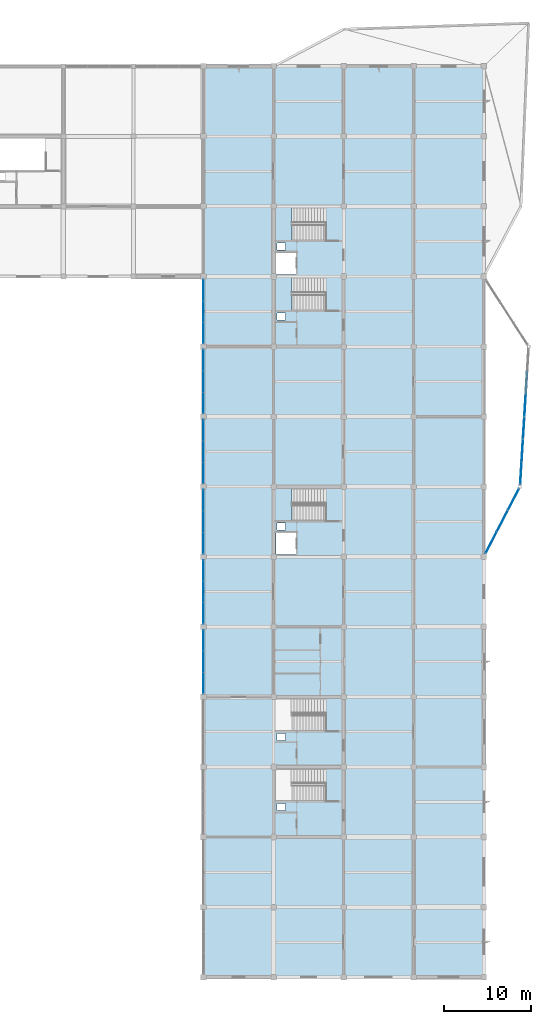
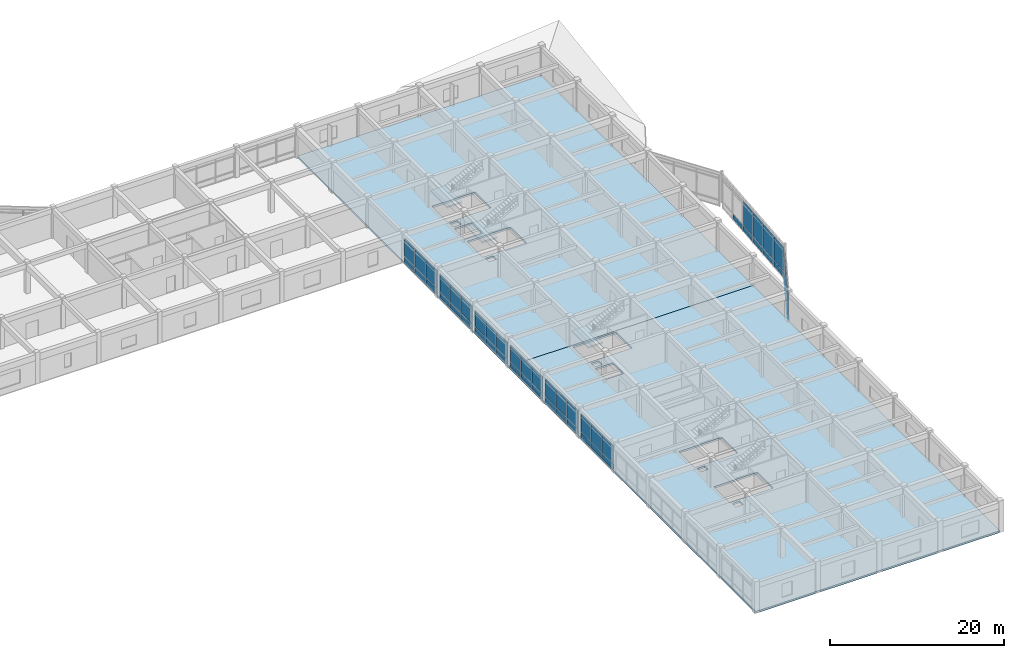
# One storey, part 23 of 40: 51 plates, 5 slabs, 12 elements without a shape of their own.
"""IFC4 building model written with IfcOpenShell, lengths in metres."""

from ifc_helpers import new_model, si_unit, direction, frame, origin, origin_2d, place, context, subcontext, project, spatial, polyline, rectangle, outline, extrude, material, layer, layer_set, type_object, element, aggregate, save


model = new_model("IFC4")

# Units and contexts
model_context = context("Model", 3, precision=1e-05, world=origin(), true_north=direction((0.0, 1.0)))
body_context = subcontext(model_context, "Body", "Model", "MODEL_VIEW")
ifc_project = project(units=[si_unit("LENGTHUNIT", "METRE"), si_unit("AREAUNIT", "SQUARE_METRE"), si_unit("VOLUMEUNIT", "CUBIC_METRE"), si_unit("PLANEANGLEUNIT", "RADIAN"), si_unit("MASSUNIT", "GRAM", prefix="KILO")], contexts=[model_context])

# Site, building, storey
site_placement = place(None, origin())
site = spatial("IfcSite", under=ifc_project, at=site_placement, CompositionType="ELEMENT")
building_placement = place(site_placement, origin())
building = spatial("IfcBuilding", under=site, at=building_placement, Name="Vaudrelin Polytechnic", CompositionType="ELEMENT")
storey_placement = place(building_placement, frame((0.0, 0.0, 22.949951171875)))
storey = spatial("IfcBuildingStorey", under=building, at=storey_placement, Name="L05", CompositionType="ELEMENT", Elevation=22.949951171875)

# Curtain wall, plates
ifc_material_1 = material(Name="Thermally broken anodised aluminium AA 6063-T6 and low-e triple glazing", Category="aluminium")
ifc_layer_1 = layer(ifc_material_1, 0.199951171875)
ifc_layer_set_1 = layer_set([ifc_layer_1], Name="Thermally broken anodised aluminium AA 6063-T6 and low-e triple glazing")
curtain_wall_type = type_object("IfcCurtainWallType", Name="CW-CW-LAB", PredefinedType="USERDEFINED", material=ifc_layer_set_1)
curtain_wall_1_placement = place(storey_placement, origin())
curtain_wall_1 = element("IfcCurtainWall", 1, at=curtain_wall_1_placement, inside=storey, type_object=curtain_wall_type, Name="Curtain wall L05 W_V4_04", ObjectType="CURTAIN WALL", PredefinedType="USERDEFINED")
ifc_material_2 = material(Name="Insulated ceramic-frit spandrel glass panel", Category="glass")
ifc_layer_2 = layer(ifc_material_2, 0.052001953125)
ifc_layer_set_2 = layer_set([ifc_layer_2], Name="Insulated ceramic-frit spandrel glass panel")
plate_type_1 = type_object("IfcPlateType", Name="PLT-GLZ-SPAND", PredefinedType="CURTAIN_PANEL", material=ifc_layer_set_2)
plate_1_placement = place(storey_placement, frame((137.699951171875, 50.165283203125, 0.08984375), z_axis=(0.0, 0.0, 1.0), x_axis=(0.0, 1.0, 0.0)))
plate_1 = element("IfcPlate", 2, at=plate_1_placement, type_object=plate_type_1, Name="W_V4_04 spandrel panel 1", PredefinedType="CURTAIN_PANEL", context=body_context, shape_type="SweptSolid", body=[
    extrude(rectangle(XDim=2.384765625, YDim=0.052001953125, at=origin_2d()), origin(), (0.0, 0.0, 1.0), 0.699951171875),
])
plate_2_placement = place(storey_placement, frame((137.699951171875, 52.64990234375, 0.08984375), z_axis=(0.0, 0.0, 1.0), x_axis=(0.0, 1.0, 0.0)))
plate_2 = element("IfcPlate", 3, at=plate_2_placement, type_object=plate_type_1, Name="W_V4_04 spandrel panel 2", PredefinedType="CURTAIN_PANEL", context=body_context, shape_type="SweptSolid", body=[
    extrude(rectangle(XDim=2.384765625, YDim=0.052001953125, at=origin_2d()), origin(), (0.0, 0.0, 1.0), 0.699951171875),
])
plate_3_placement = place(storey_placement, frame((137.699951171875, 55.134765625, 0.08984375), z_axis=(0.0, 0.0, 1.0), x_axis=(0.0, 1.0, 0.0)))
plate_3 = element("IfcPlate", 4, at=plate_3_placement, type_object=plate_type_1, Name="W_V4_04 spandrel panel 3", PredefinedType="CURTAIN_PANEL", context=body_context, shape_type="SweptSolid", body=[
    extrude(rectangle(XDim=2.384765625, YDim=0.052001953125, at=origin_2d()), origin(), (0.0, 0.0, 1.0), 0.699951171875),
])

curtain_wall_2_placement = place(storey_placement, origin())
curtain_wall_2 = element("IfcCurtainWall", 5, at=curtain_wall_2_placement, inside=storey, type_object=curtain_wall_type, Name="Curtain wall L05 W_V4_05", ObjectType="CURTAIN WALL", PredefinedType="USERDEFINED")
plate_4_placement = place(storey_placement, frame((137.699951171875, 58.265380859375, 0.08984375), z_axis=(0.0, 0.0, 1.0), x_axis=(0.0, 1.0, 0.0)))
plate_4 = element("IfcPlate", 6, at=plate_4_placement, type_object=plate_type_1, Name="W_V4_05 spandrel panel 1", PredefinedType="CURTAIN_PANEL", context=body_context, shape_type="SweptSolid", body=[
    extrude(rectangle(XDim=2.384765625, YDim=0.052001953125, at=origin_2d()), origin(), (0.0, 0.0, 1.0), 0.699951171875),
])
plate_5_placement = place(storey_placement, frame((137.699951171875, 60.75, 0.08984375), z_axis=(0.0, 0.0, 1.0), x_axis=(0.0, 1.0, 0.0)))
plate_5 = element("IfcPlate", 7, at=plate_5_placement, type_object=plate_type_1, Name="W_V4_05 spandrel panel 2", PredefinedType="CURTAIN_PANEL", context=body_context, shape_type="SweptSolid", body=[
    extrude(rectangle(XDim=2.384765625, YDim=0.052001953125, at=origin_2d()), origin(), (0.0, 0.0, 1.0), 0.699951171875),
])
plate_6_placement = place(storey_placement, frame((137.699951171875, 63.234619140625, 0.08984375), z_axis=(0.0, 0.0, 1.0), x_axis=(0.0, 1.0, 0.0)))
plate_6 = element("IfcPlate", 8, at=plate_6_placement, type_object=plate_type_1, Name="W_V4_05 spandrel panel 3", PredefinedType="CURTAIN_PANEL", context=body_context, shape_type="SweptSolid", body=[
    extrude(rectangle(XDim=2.384765625, YDim=0.052001953125, at=origin_2d()), origin(), (0.0, 0.0, 1.0), 0.699951171875),
])

curtain_wall_3_placement = place(storey_placement, origin())
curtain_wall_3 = element("IfcCurtainWall", 9, at=curtain_wall_3_placement, inside=storey, type_object=curtain_wall_type, Name="Curtain wall L05 W_V4_06", ObjectType="CURTAIN WALL", PredefinedType="USERDEFINED")
plate_7_placement = place(storey_placement, frame((137.699951171875, 66.365234375, 0.08984375), z_axis=(0.0, 0.0, 1.0), x_axis=(0.0, 1.0, 0.0)))
plate_7 = element("IfcPlate", 10, at=plate_7_placement, type_object=plate_type_1, Name="W_V4_06 spandrel panel 1", PredefinedType="CURTAIN_PANEL", context=body_context, shape_type="SweptSolid", body=[
    extrude(rectangle(XDim=2.384765625, YDim=0.052001953125, at=origin_2d()), origin(), (0.0, 0.0, 1.0), 0.699951171875),
])
plate_8_placement = place(storey_placement, frame((137.699951171875, 68.85009765625, 0.08984375), z_axis=(0.0, 0.0, 1.0), x_axis=(0.0, 1.0, 0.0)))
plate_8 = element("IfcPlate", 11, at=plate_8_placement, type_object=plate_type_1, Name="W_V4_06 spandrel panel 2", PredefinedType="CURTAIN_PANEL", context=body_context, shape_type="SweptSolid", body=[
    extrude(rectangle(XDim=2.384765625, YDim=0.052001953125, at=origin_2d()), origin(), (0.0, 0.0, 1.0), 0.699951171875),
])
plate_9_placement = place(storey_placement, frame((137.699951171875, 71.334716796875, 0.08984375), z_axis=(0.0, 0.0, 1.0), x_axis=(0.0, 1.0, 0.0)))
plate_9 = element("IfcPlate", 12, at=plate_9_placement, type_object=plate_type_1, Name="W_V4_06 spandrel panel 3", PredefinedType="CURTAIN_PANEL", context=body_context, shape_type="SweptSolid", body=[
    extrude(rectangle(XDim=2.384765625, YDim=0.052001953125, at=origin_2d()), origin(), (0.0, 0.0, 1.0), 0.699951171875),
])

curtain_wall_4_placement = place(storey_placement, origin())
curtain_wall_4 = element("IfcCurtainWall", 13, at=curtain_wall_4_placement, inside=storey, type_object=curtain_wall_type, Name="Curtain wall L05 W_V4_07", ObjectType="CURTAIN WALL", PredefinedType="USERDEFINED")
plate_10_placement = place(storey_placement, frame((137.699951171875, 74.46533203125, 0.08984375), z_axis=(0.0, 0.0, 1.0), x_axis=(0.0, 1.0, 0.0)))
plate_10 = element("IfcPlate", 14, at=plate_10_placement, type_object=plate_type_1, Name="W_V4_07 spandrel panel 1", PredefinedType="CURTAIN_PANEL", context=body_context, shape_type="SweptSolid", body=[
    extrude(rectangle(XDim=2.384765625, YDim=0.052001953125, at=origin_2d()), origin(), (0.0, 0.0, 1.0), 0.699951171875),
])
plate_11_placement = place(storey_placement, frame((137.699951171875, 76.949951171875, 0.08984375), z_axis=(0.0, 0.0, 1.0), x_axis=(0.0, 1.0, 0.0)))
plate_11 = element("IfcPlate", 15, at=plate_11_placement, type_object=plate_type_1, Name="W_V4_07 spandrel panel 2", PredefinedType="CURTAIN_PANEL", context=body_context, shape_type="SweptSolid", body=[
    extrude(rectangle(XDim=2.384765625, YDim=0.052001953125, at=origin_2d()), origin(), (0.0, 0.0, 1.0), 0.699951171875),
])
plate_12_placement = place(storey_placement, frame((137.699951171875, 79.434814453125, 0.08984375), z_axis=(0.0, 0.0, 1.0), x_axis=(0.0, 1.0, 0.0)))
plate_12 = element("IfcPlate", 16, at=plate_12_placement, type_object=plate_type_1, Name="W_V4_07 spandrel panel 3", PredefinedType="CURTAIN_PANEL", context=body_context, shape_type="SweptSolid", body=[
    extrude(rectangle(XDim=2.384765625, YDim=0.052001953125, at=origin_2d()), origin(), (0.0, 0.0, 1.0), 0.699951171875),
])

curtain_wall_5_placement = place(storey_placement, origin())
curtain_wall_5 = element("IfcCurtainWall", 17, at=curtain_wall_5_placement, inside=storey, type_object=curtain_wall_type, Name="Curtain wall L05 W_V4_08", ObjectType="CURTAIN WALL", PredefinedType="USERDEFINED")
plate_13_placement = place(storey_placement, frame((137.699951171875, 82.565185546875, 0.08984375), z_axis=(0.0, 0.0, 1.0), x_axis=(0.0, 1.0, 0.0)))
plate_13 = element("IfcPlate", 18, at=plate_13_placement, type_object=plate_type_1, Name="W_V4_08 spandrel panel 1", PredefinedType="CURTAIN_PANEL", context=body_context, shape_type="SweptSolid", body=[
    extrude(rectangle(XDim=2.384765625, YDim=0.052001953125, at=origin_2d()), origin(), (0.0, 0.0, 1.0), 0.699951171875),
])
plate_14_placement = place(storey_placement, frame((137.699951171875, 85.050048828125, 0.08984375), z_axis=(0.0, 0.0, 1.0), x_axis=(0.0, 1.0, 0.0)))
plate_14 = element("IfcPlate", 19, at=plate_14_placement, type_object=plate_type_1, Name="W_V4_08 spandrel panel 2", PredefinedType="CURTAIN_PANEL", context=body_context, shape_type="SweptSolid", body=[
    extrude(rectangle(XDim=2.384765625, YDim=0.052001953125, at=origin_2d()), origin(), (0.0, 0.0, 1.0), 0.699951171875),
])
plate_15_placement = place(storey_placement, frame((137.699951171875, 87.53466796875, 0.08984375), z_axis=(0.0, 0.0, 1.0), x_axis=(0.0, 1.0, 0.0)))
plate_15 = element("IfcPlate", 20, at=plate_15_placement, type_object=plate_type_1, Name="W_V4_08 spandrel panel 3", PredefinedType="CURTAIN_PANEL", context=body_context, shape_type="SweptSolid", body=[
    extrude(rectangle(XDim=2.384765625, YDim=0.052001953125, at=origin_2d()), origin(), (0.0, 0.0, 1.0), 0.699951171875),
])

curtain_wall_6_placement = place(storey_placement, origin())
curtain_wall_6 = element("IfcCurtainWall", 21, at=curtain_wall_6_placement, inside=storey, type_object=curtain_wall_type, Name="Curtain wall L05 W_V4_09", ObjectType="CURTAIN WALL", PredefinedType="USERDEFINED")
plate_16_placement = place(storey_placement, frame((137.699951171875, 90.665283203125, 0.08984375), z_axis=(0.0, 0.0, 1.0), x_axis=(0.0, 1.0, 0.0)))
plate_16 = element("IfcPlate", 22, at=plate_16_placement, type_object=plate_type_1, Name="W_V4_09 spandrel panel 1", PredefinedType="CURTAIN_PANEL", context=body_context, shape_type="SweptSolid", body=[
    extrude(rectangle(XDim=2.384765625, YDim=0.052001953125, at=origin_2d()), origin(), (0.0, 0.0, 1.0), 0.699951171875),
])
plate_17_placement = place(storey_placement, frame((137.699951171875, 93.14990234375, 0.08984375), z_axis=(0.0, 0.0, 1.0), x_axis=(0.0, 1.0, 0.0)))
plate_17 = element("IfcPlate", 23, at=plate_17_placement, type_object=plate_type_1, Name="W_V4_09 spandrel panel 2", PredefinedType="CURTAIN_PANEL", context=body_context, shape_type="SweptSolid", body=[
    extrude(rectangle(XDim=2.384765625, YDim=0.052001953125, at=origin_2d()), origin(), (0.0, 0.0, 1.0), 0.699951171875),
])
plate_18_placement = place(storey_placement, frame((137.699951171875, 95.634765625, 0.08984375), z_axis=(0.0, 0.0, 1.0), x_axis=(0.0, 1.0, 0.0)))
plate_18 = element("IfcPlate", 24, at=plate_18_placement, type_object=plate_type_1, Name="W_V4_09 spandrel panel 3", PredefinedType="CURTAIN_PANEL", context=body_context, shape_type="SweptSolid", body=[
    extrude(rectangle(XDim=2.384765625, YDim=0.052001953125, at=origin_2d()), origin(), (0.0, 0.0, 1.0), 0.699951171875),
])

curtain_wall_7_placement = place(storey_placement, origin())
curtain_wall_7 = element("IfcCurtainWall", 25, at=curtain_wall_7_placement, inside=storey, type_object=curtain_wall_type, Name="Curtain wall L05 E_OR2_1_0", ObjectType="CURTAIN WALL", PredefinedType="USERDEFINED")
plate_19_placement = place(storey_placement, frame((170.953369140625, 66.44580078125, -0.5400390625), z_axis=(0.0, 0.0, 1.0), x_axis=(0.460325488129, 0.88775021542, 0.0)))
plate_19 = element("IfcPlate", 26, at=plate_19_placement, type_object=plate_type_1, Name="E_OR2_1_0 spandrel panel 1", PredefinedType="CURTAIN_PANEL", context=body_context, shape_type="SweptSolid", body=[
    extrude(rectangle(XDim=2.705322265625, YDim=0.052001953125, at=origin_2d()), origin(), (0.0, 0.0, 1.0), 0.699951171875),
])
plate_20_placement = place(storey_placement, frame((172.24462890625, 68.936279296875, -0.5400390625), z_axis=(0.0, 0.0, 1.0), x_axis=(0.460325488129, 0.88775021542, 0.0)))
plate_20 = element("IfcPlate", 27, at=plate_20_placement, type_object=plate_type_1, Name="E_OR2_1_0 spandrel panel 2", PredefinedType="CURTAIN_PANEL", context=body_context, shape_type="SweptSolid", body=[
    extrude(rectangle(XDim=2.705322265625, YDim=0.052001953125, at=origin_2d()), origin(), (0.0, 0.0, 1.0), 0.699951171875),
])
plate_21_placement = place(storey_placement, frame((173.5361328125, 71.4267578125, -0.5400390625), z_axis=(0.0, 0.0, 1.0), x_axis=(0.460325488129, 0.88775021542, 0.0)))
plate_21 = element("IfcPlate", 28, at=plate_21_placement, type_object=plate_type_1, Name="E_OR2_1_0 spandrel panel 3", PredefinedType="CURTAIN_PANEL", context=body_context, shape_type="SweptSolid", body=[
    extrude(rectangle(XDim=2.705322265625, YDim=0.052001953125, at=origin_2d()), origin(), (0.0, 0.0, 1.0), 0.699951171875),
])

curtain_wall_8_placement = place(storey_placement, origin())
curtain_wall_8 = element("IfcCurtainWall", 29, at=curtain_wall_8_placement, inside=storey, type_object=curtain_wall_type, Name="Curtain wall L05 E_OR2_2_0", ObjectType="CURTAIN WALL", PredefinedType="USERDEFINED")
plate_22_placement = place(storey_placement, frame((174.3955078125, 74.44775390625, -0.5400390625), z_axis=(0.0, 0.0, 1.0), x_axis=(0.061604568165, 0.998100634797, 0.0)))
plate_22 = element("IfcPlate", 30, at=plate_22_placement, type_object=plate_type_1, Name="E_OR2_2_0 spandrel panel 1", PredefinedType="CURTAIN_PANEL", context=body_context, shape_type="SweptSolid", body=[
    extrude(rectangle(XDim=2.52587890625, YDim=0.052001953125, at=origin_2d()), origin(), (0.0, 0.0, 1.0), 0.699951171875),
])
plate_23_placement = place(storey_placement, frame((174.557373046875, 77.068603515625, -0.5400390625), z_axis=(0.0, 0.0, 1.0), x_axis=(0.061604568165, 0.998100634797, 0.0)))
plate_23 = element("IfcPlate", 31, at=plate_23_placement, type_object=plate_type_1, Name="E_OR2_2_0 spandrel panel 2", PredefinedType="CURTAIN_PANEL", context=body_context, shape_type="SweptSolid", body=[
    extrude(rectangle(XDim=2.52587890625, YDim=0.052001953125, at=origin_2d()), origin(), (0.0, 0.0, 1.0), 0.699951171875),
])
plate_24_placement = place(storey_placement, frame((174.718994140625, 79.689453125, -0.5400390625), z_axis=(0.0, 0.0, 1.0), x_axis=(0.061604568165, 0.998100634797, 0.0)))
plate_24 = element("IfcPlate", 32, at=plate_24_placement, type_object=plate_type_1, Name="E_OR2_2_0 spandrel panel 3", PredefinedType="CURTAIN_PANEL", context=body_context, shape_type="SweptSolid", body=[
    extrude(rectangle(XDim=2.52587890625, YDim=0.052001953125, at=origin_2d()), origin(), (0.0, 0.0, 1.0), 0.699951171875),
])

curtain_wall_9_placement = place(storey_placement, origin())
curtain_wall_9 = element("IfcCurtainWall", 33, at=curtain_wall_9_placement, inside=storey, type_object=curtain_wall_type, Name="Curtain wall L05 E_OR2_2_1", ObjectType="CURTAIN WALL", PredefinedType="USERDEFINED")
plate_25_placement = place(storey_placement, frame((174.880859375, 82.310546875, -0.5400390625), z_axis=(0.0, 0.0, 1.0), x_axis=(0.061604568165, 0.998100634797, 0.0)))
plate_25 = element("IfcPlate", 34, at=plate_25_placement, type_object=plate_type_1, Name="E_OR2_2_1 spandrel panel 1", PredefinedType="CURTAIN_PANEL", context=body_context, shape_type="SweptSolid", body=[
    extrude(rectangle(XDim=2.52587890625, YDim=0.052001953125, at=origin_2d()), origin(), (0.0, 0.0, 1.0), 0.699951171875),
])
plate_26_placement = place(storey_placement, frame((175.042724609375, 84.931396484375, -0.5400390625), z_axis=(0.0, 0.0, 1.0), x_axis=(0.061604568165, 0.998100634797, 0.0)))
plate_26 = element("IfcPlate", 35, at=plate_26_placement, type_object=plate_type_1, Name="E_OR2_2_1 spandrel panel 2", PredefinedType="CURTAIN_PANEL", context=body_context, shape_type="SweptSolid", body=[
    extrude(rectangle(XDim=2.52587890625, YDim=0.052001953125, at=origin_2d()), origin(), (0.0, 0.0, 1.0), 0.699951171875),
])

# Plate
ifc_material_3 = material(Name="Triple low-e argon insulated glazing unit", Category="glass")
ifc_layer_3 = layer(ifc_material_3, 0.0439453125)
ifc_layer_set_3 = layer_set([ifc_layer_3], Name="Triple low-e argon insulated glazing unit")
plate_type_2 = type_object("IfcPlateType", Name="PLT-GLZ-TRIPLE", PredefinedType="CURTAIN_PANEL", material=ifc_layer_set_3)
plate_27_placement = place(storey_placement, frame((137.699951171875, 50.165283203125, 0.89990234375), z_axis=(0.0, 0.0, 1.0), x_axis=(0.0, 1.0, 0.0)))
plate_27 = element("IfcPlate", 36, at=plate_27_placement, type_object=plate_type_2, Name="W_V4_04 vision panel 1", PredefinedType="CURTAIN_PANEL", context=body_context, shape_type="SweptSolid", body=[
    extrude(rectangle(XDim=2.384765625, YDim=0.0439453125, at=origin_2d()), origin(), (0.0, 0.0, 1.0), 2.511962890625),
])

plate_28_placement = place(storey_placement, frame((137.699951171875, 52.64990234375, 0.89990234375), z_axis=(0.0, 0.0, 1.0), x_axis=(0.0, 1.0, 0.0)))
plate_28 = element("IfcPlate", 37, at=plate_28_placement, type_object=plate_type_2, Name="W_V4_04 vision panel 2", PredefinedType="CURTAIN_PANEL", context=body_context, shape_type="SweptSolid", body=[
    extrude(rectangle(XDim=2.384765625, YDim=0.0439453125, at=origin_2d()), origin(), (0.0, 0.0, 1.0), 2.511962890625),
])

plate_29_placement = place(storey_placement, frame((137.699951171875, 55.134765625, 0.89990234375), z_axis=(0.0, 0.0, 1.0), x_axis=(0.0, 1.0, 0.0)))
plate_29 = element("IfcPlate", 38, at=plate_29_placement, type_object=plate_type_2, Name="W_V4_04 vision panel 3", PredefinedType="CURTAIN_PANEL", context=body_context, shape_type="SweptSolid", body=[
    extrude(rectangle(XDim=2.384765625, YDim=0.0439453125, at=origin_2d()), origin(), (0.0, 0.0, 1.0), 2.511962890625),
])

aggregate(curtain_wall_1, [plate_1, plate_27, plate_2, plate_28, plate_3, plate_29])

plate_30_placement = place(storey_placement, frame((137.699951171875, 58.265380859375, 0.89990234375), z_axis=(0.0, 0.0, 1.0), x_axis=(0.0, 1.0, 0.0)))
plate_30 = element("IfcPlate", 39, at=plate_30_placement, type_object=plate_type_2, Name="W_V4_05 vision panel 1", PredefinedType="CURTAIN_PANEL", context=body_context, shape_type="SweptSolid", body=[
    extrude(rectangle(XDim=2.384765625, YDim=0.0439453125, at=origin_2d()), origin(), (0.0, 0.0, 1.0), 2.511962890625),
])

plate_31_placement = place(storey_placement, frame((137.699951171875, 60.75, 0.89990234375), z_axis=(0.0, 0.0, 1.0), x_axis=(0.0, 1.0, 0.0)))
plate_31 = element("IfcPlate", 40, at=plate_31_placement, type_object=plate_type_2, Name="W_V4_05 vision panel 2", PredefinedType="CURTAIN_PANEL", context=body_context, shape_type="SweptSolid", body=[
    extrude(rectangle(XDim=2.384765625, YDim=0.0439453125, at=origin_2d()), origin(), (0.0, 0.0, 1.0), 2.511962890625),
])

plate_32_placement = place(storey_placement, frame((137.699951171875, 63.234619140625, 0.89990234375), z_axis=(0.0, 0.0, 1.0), x_axis=(0.0, 1.0, 0.0)))
plate_32 = element("IfcPlate", 41, at=plate_32_placement, type_object=plate_type_2, Name="W_V4_05 vision panel 3", PredefinedType="CURTAIN_PANEL", context=body_context, shape_type="SweptSolid", body=[
    extrude(rectangle(XDim=2.384765625, YDim=0.0439453125, at=origin_2d()), origin(), (0.0, 0.0, 1.0), 2.511962890625),
])

aggregate(curtain_wall_2, [plate_4, plate_30, plate_5, plate_31, plate_6, plate_32])

plate_33_placement = place(storey_placement, frame((137.699951171875, 66.365234375, 0.900146484375), z_axis=(0.0, 0.0, 1.0), x_axis=(0.0, 1.0, 0.0)))
plate_33 = element("IfcPlate", 42, at=plate_33_placement, type_object=plate_type_2, Name="W_V4_06 vision panel 1", PredefinedType="CURTAIN_PANEL", context=body_context, shape_type="SweptSolid", body=[
    extrude(rectangle(XDim=2.384765625, YDim=0.0439453125, at=origin_2d()), origin(), (0.0, 0.0, 1.0), 2.31201171875),
])

plate_34_placement = place(storey_placement, frame((137.699951171875, 68.85009765625, 0.900146484375), z_axis=(0.0, 0.0, 1.0), x_axis=(0.0, 1.0, 0.0)))
plate_34 = element("IfcPlate", 43, at=plate_34_placement, type_object=plate_type_2, Name="W_V4_06 vision panel 2", PredefinedType="CURTAIN_PANEL", context=body_context, shape_type="SweptSolid", body=[
    extrude(rectangle(XDim=2.384765625, YDim=0.0439453125, at=origin_2d()), origin(), (0.0, 0.0, 1.0), 2.31201171875),
])

plate_35_placement = place(storey_placement, frame((137.699951171875, 71.334716796875, 0.900146484375), z_axis=(0.0, 0.0, 1.0), x_axis=(0.0, 1.0, 0.0)))
plate_35 = element("IfcPlate", 44, at=plate_35_placement, type_object=plate_type_2, Name="W_V4_06 vision panel 3", PredefinedType="CURTAIN_PANEL", context=body_context, shape_type="SweptSolid", body=[
    extrude(rectangle(XDim=2.384765625, YDim=0.0439453125, at=origin_2d()), origin(), (0.0, 0.0, 1.0), 2.31201171875),
])

aggregate(curtain_wall_3, [plate_7, plate_33, plate_8, plate_34, plate_9, plate_35])

plate_36_placement = place(storey_placement, frame((137.699951171875, 74.46533203125, 0.900146484375), z_axis=(0.0, 0.0, 1.0), x_axis=(0.0, 1.0, 0.0)))
plate_36 = element("IfcPlate", 45, at=plate_36_placement, type_object=plate_type_2, Name="W_V4_07 vision panel 1", PredefinedType="CURTAIN_PANEL", context=body_context, shape_type="SweptSolid", body=[
    extrude(rectangle(XDim=2.384765625, YDim=0.0439453125, at=origin_2d()), origin(), (0.0, 0.0, 1.0), 2.2119140625),
])

plate_37_placement = place(storey_placement, frame((137.699951171875, 76.949951171875, 0.900146484375), z_axis=(0.0, 0.0, 1.0), x_axis=(0.0, 1.0, 0.0)))
plate_37 = element("IfcPlate", 46, at=plate_37_placement, type_object=plate_type_2, Name="W_V4_07 vision panel 2", PredefinedType="CURTAIN_PANEL", context=body_context, shape_type="SweptSolid", body=[
    extrude(rectangle(XDim=2.384765625, YDim=0.0439453125, at=origin_2d()), origin(), (0.0, 0.0, 1.0), 2.2119140625),
])

plate_38_placement = place(storey_placement, frame((137.699951171875, 79.434814453125, 0.900146484375), z_axis=(0.0, 0.0, 1.0), x_axis=(0.0, 1.0, 0.0)))
plate_38 = element("IfcPlate", 47, at=plate_38_placement, type_object=plate_type_2, Name="W_V4_07 vision panel 3", PredefinedType="CURTAIN_PANEL", context=body_context, shape_type="SweptSolid", body=[
    extrude(rectangle(XDim=2.384765625, YDim=0.0439453125, at=origin_2d()), origin(), (0.0, 0.0, 1.0), 2.2119140625),
])

aggregate(curtain_wall_4, [plate_10, plate_36, plate_11, plate_37, plate_12, plate_38])

plate_39_placement = place(storey_placement, frame((137.699951171875, 82.565185546875, 0.89990234375), z_axis=(0.0, 0.0, 1.0), x_axis=(0.0, 1.0, 0.0)))
plate_39 = element("IfcPlate", 48, at=plate_39_placement, type_object=plate_type_2, Name="W_V4_08 vision panel 1", PredefinedType="CURTAIN_PANEL", context=body_context, shape_type="SweptSolid", body=[
    extrude(rectangle(XDim=2.384765625, YDim=0.0439453125, at=origin_2d()), origin(), (0.0, 0.0, 1.0), 2.412109375),
])

plate_40_placement = place(storey_placement, frame((137.699951171875, 85.050048828125, 0.89990234375), z_axis=(0.0, 0.0, 1.0), x_axis=(0.0, 1.0, 0.0)))
plate_40 = element("IfcPlate", 49, at=plate_40_placement, type_object=plate_type_2, Name="W_V4_08 vision panel 2", PredefinedType="CURTAIN_PANEL", context=body_context, shape_type="SweptSolid", body=[
    extrude(rectangle(XDim=2.384765625, YDim=0.0439453125, at=origin_2d()), origin(), (0.0, 0.0, 1.0), 2.412109375),
])

plate_41_placement = place(storey_placement, frame((137.699951171875, 87.53466796875, 0.89990234375), z_axis=(0.0, 0.0, 1.0), x_axis=(0.0, 1.0, 0.0)))
plate_41 = element("IfcPlate", 50, at=plate_41_placement, type_object=plate_type_2, Name="W_V4_08 vision panel 3", PredefinedType="CURTAIN_PANEL", context=body_context, shape_type="SweptSolid", body=[
    extrude(rectangle(XDim=2.384765625, YDim=0.0439453125, at=origin_2d()), origin(), (0.0, 0.0, 1.0), 2.412109375),
])

aggregate(curtain_wall_5, [plate_13, plate_39, plate_14, plate_40, plate_15, plate_41])

plate_42_placement = place(storey_placement, frame((137.699951171875, 90.665283203125, 0.89990234375), z_axis=(0.0, 0.0, 1.0), x_axis=(0.0, 1.0, 0.0)))
plate_42 = element("IfcPlate", 51, at=plate_42_placement, type_object=plate_type_2, Name="W_V4_09 vision panel 1", PredefinedType="CURTAIN_PANEL", context=body_context, shape_type="SweptSolid", body=[
    extrude(rectangle(XDim=2.384765625, YDim=0.0439453125, at=origin_2d()), origin(), (0.0, 0.0, 1.0), 2.511962890625),
])

plate_43_placement = place(storey_placement, frame((137.699951171875, 93.14990234375, 0.89990234375), z_axis=(0.0, 0.0, 1.0), x_axis=(0.0, 1.0, 0.0)))
plate_43 = element("IfcPlate", 52, at=plate_43_placement, type_object=plate_type_2, Name="W_V4_09 vision panel 2", PredefinedType="CURTAIN_PANEL", context=body_context, shape_type="SweptSolid", body=[
    extrude(rectangle(XDim=2.384765625, YDim=0.0439453125, at=origin_2d()), origin(), (0.0, 0.0, 1.0), 2.511962890625),
])

plate_44_placement = place(storey_placement, frame((137.699951171875, 95.634765625, 0.89990234375), z_axis=(0.0, 0.0, 1.0), x_axis=(0.0, 1.0, 0.0)))
plate_44 = element("IfcPlate", 53, at=plate_44_placement, type_object=plate_type_2, Name="W_V4_09 vision panel 3", PredefinedType="CURTAIN_PANEL", context=body_context, shape_type="SweptSolid", body=[
    extrude(rectangle(XDim=2.384765625, YDim=0.0439453125, at=origin_2d()), origin(), (0.0, 0.0, 1.0), 2.511962890625),
])

aggregate(curtain_wall_6, [plate_16, plate_42, plate_17, plate_43, plate_18, plate_44])

plate_45_placement = place(storey_placement, frame((170.953369140625, 66.44580078125, 0.27001953125), z_axis=(0.0, 0.0, 1.0), x_axis=(0.460325488129, 0.88775021542, 0.0)))
plate_45 = element("IfcPlate", 54, at=plate_45_placement, type_object=plate_type_2, Name="E_OR2_1_0 vision panel 1", PredefinedType="CURTAIN_PANEL", context=body_context, shape_type="SweptSolid", body=[
    extrude(rectangle(XDim=2.705322265625, YDim=0.0439453125, at=origin_2d()), origin(), (0.0, 0.0, 1.0), 3.43994140625),
])

plate_46_placement = place(storey_placement, frame((172.24462890625, 68.936279296875, 0.27001953125), z_axis=(0.0, 0.0, 1.0), x_axis=(0.460325488129, 0.88775021542, 0.0)))
plate_46 = element("IfcPlate", 55, at=plate_46_placement, type_object=plate_type_2, Name="E_OR2_1_0 vision panel 2", PredefinedType="CURTAIN_PANEL", context=body_context, shape_type="SweptSolid", body=[
    extrude(rectangle(XDim=2.705322265625, YDim=0.0439453125, at=origin_2d()), origin(), (0.0, 0.0, 1.0), 3.43994140625),
])

plate_47_placement = place(storey_placement, frame((173.5361328125, 71.4267578125, 0.27001953125), z_axis=(0.0, 0.0, 1.0), x_axis=(0.460325488129, 0.88775021542, 0.0)))
plate_47 = element("IfcPlate", 56, at=plate_47_placement, type_object=plate_type_2, Name="E_OR2_1_0 vision panel 3", PredefinedType="CURTAIN_PANEL", context=body_context, shape_type="SweptSolid", body=[
    extrude(rectangle(XDim=2.705322265625, YDim=0.0439453125, at=origin_2d()), origin(), (0.0, 0.0, 1.0), 3.43994140625),
])

aggregate(curtain_wall_7, [plate_19, plate_45, plate_20, plate_46, plate_21, plate_47])

plate_48_placement = place(storey_placement, frame((174.3955078125, 74.44775390625, 0.27001953125), z_axis=(0.0, 0.0, 1.0), x_axis=(0.061604568165, 0.998100634797, 0.0)))
plate_48 = element("IfcPlate", 57, at=plate_48_placement, type_object=plate_type_2, Name="E_OR2_2_0 vision panel 1", PredefinedType="CURTAIN_PANEL", context=body_context, shape_type="SweptSolid", body=[
    extrude(rectangle(XDim=2.52587890625, YDim=0.0439453125, at=origin_2d()), origin(), (0.0, 0.0, 1.0), 3.43994140625),
])

plate_49_placement = place(storey_placement, frame((174.557373046875, 77.068603515625, 0.27001953125), z_axis=(0.0, 0.0, 1.0), x_axis=(0.061604568165, 0.998100634797, 0.0)))
plate_49 = element("IfcPlate", 58, at=plate_49_placement, type_object=plate_type_2, Name="E_OR2_2_0 vision panel 2", PredefinedType="CURTAIN_PANEL", context=body_context, shape_type="SweptSolid", body=[
    extrude(rectangle(XDim=2.52587890625, YDim=0.0439453125, at=origin_2d()), origin(), (0.0, 0.0, 1.0), 3.43994140625),
])

plate_50_placement = place(storey_placement, frame((174.718994140625, 79.689453125, 0.27001953125), z_axis=(0.0, 0.0, 1.0), x_axis=(0.061604568165, 0.998100634797, 0.0)))
plate_50 = element("IfcPlate", 59, at=plate_50_placement, type_object=plate_type_2, Name="E_OR2_2_0 vision panel 3", PredefinedType="CURTAIN_PANEL", context=body_context, shape_type="SweptSolid", body=[
    extrude(rectangle(XDim=2.52587890625, YDim=0.0439453125, at=origin_2d()), origin(), (0.0, 0.0, 1.0), 3.43994140625),
])

aggregate(curtain_wall_8, [plate_22, plate_48, plate_23, plate_49, plate_24, plate_50])

plate_51_placement = place(storey_placement, frame((174.880859375, 82.310546875, 0.27001953125), z_axis=(0.0, 0.0, 1.0), x_axis=(0.061604568165, 0.998100634797, 0.0)))
plate_51 = element("IfcPlate", 60, at=plate_51_placement, type_object=plate_type_2, Name="E_OR2_2_1 vision panel 1", PredefinedType="CURTAIN_PANEL", context=body_context, shape_type="SweptSolid", body=[
    extrude(rectangle(XDim=2.52587890625, YDim=0.0439453125, at=origin_2d()), origin(), (0.0, 0.0, 1.0), 3.43994140625),
])

aggregate(curtain_wall_9, [plate_25, plate_51, plate_26])

# Stair, slab
ifc_material_4 = material(Name="Concrete 35 MPa", Category="concrete")
stair_type = type_object("IfcStairType", Name="STR-ST-CORE", PredefinedType="TWO_STRAIGHT_RUN_STAIR", material=ifc_material_4)
stair_1_placement = place(storey_placement, origin())
stair_1 = element("IfcStair", 61, at=stair_1_placement, inside=storey, type_object=stair_type, Name="Exit stair ST-06-L05", PredefinedType="TWO_STRAIGHT_RUN_STAIR")
ifc_layer_4 = layer(ifc_material_4, 0.219970703125)
ifc_layer_set_4 = layer_set([ifc_layer_4], Name="Concrete 35 MPa")
slab_type_1 = type_object("IfcSlabType", Name="SLB-LND220", PredefinedType="LANDING", material=ifc_layer_set_4)
slab_1_placement = place(storey_placement, frame((0.0, 0.0, 1.989990234375)))
slab_1 = element("IfcSlab", 62, at=slab_1_placement, type_object=slab_type_1, Name="ST-06-L05 landing 1", PredefinedType="LANDING", context=body_context, shape_type="SweptSolid", body=[
    extrude(outline(polyline([(145.93994140625, 101.360107421875), (147.909912109375, 101.360107421875), (147.909912109375, 105.199951171875), (145.93994140625, 105.199951171875), (145.93994140625, 101.360107421875)])), origin(), (0.0, 0.0, 1.0), 0.219970703125),
])
aggregate(stair_1, [slab_1])

stair_2_placement = place(storey_placement, origin())
stair_2 = element("IfcStair", 63, at=stair_2_placement, inside=storey, type_object=stair_type, Name="Exit stair ST-07-L05", PredefinedType="TWO_STRAIGHT_RUN_STAIR")
slab_2_placement = place(storey_placement, frame((0.0, 0.0, 1.989990234375)))
slab_2 = element("IfcSlab", 64, at=slab_2_placement, type_object=slab_type_1, Name="ST-07-L05 landing 1", PredefinedType="LANDING", context=body_context, shape_type="SweptSolid", body=[
    extrude(outline(polyline([(145.93994140625, 68.9599609375), (147.909912109375, 68.9599609375), (147.909912109375, 72.800048828125), (145.93994140625, 72.800048828125), (145.93994140625, 68.9599609375)])), origin(), (0.0, 0.0, 1.0), 0.219970703125),
])
aggregate(stair_2, [slab_2])

stair_3_placement = place(storey_placement, origin())
stair_3 = element("IfcStair", 65, at=stair_3_placement, inside=storey, type_object=stair_type, Name="Exit stair ST-13-L05", PredefinedType="TWO_STRAIGHT_RUN_STAIR")
slab_3_placement = place(storey_placement, frame((0.0, 0.0, 1.989990234375)))
slab_3 = element("IfcSlab", 66, at=slab_3_placement, type_object=slab_type_1, Name="ST-13-L05 landing 1", PredefinedType="LANDING", context=body_context, shape_type="SweptSolid", body=[
    extrude(outline(polyline([(145.93994140625, 93.260009765625), (147.909912109375, 93.260009765625), (147.909912109375, 97.10009765625), (145.93994140625, 97.10009765625), (145.93994140625, 93.260009765625)])), origin(), (0.0, 0.0, 1.0), 0.219970703125),
])
aggregate(stair_3, [slab_3])

# Slabs
ifc_layer_5 = layer(ifc_material_4, 0.260009765625)
ifc_layer_set_5 = layer_set([ifc_layer_5], Name="Concrete 35 MPa")
slab_type_2 = type_object("IfcSlabType", Name="SLB-SL-F260", PredefinedType="FLOOR", material=ifc_layer_set_5)
slab_4_placement = place(storey_placement, frame((0.0, 0.0, -0.260009765625)))
element("IfcSlab", 67, at=slab_4_placement, inside=storey, type_object=slab_type_2, Name="L05 floor slab V4-S", PredefinedType="FLOOR", context=body_context, shape_type="SweptSolid", body=[
    extrude(outline(polyline([(137.699951171875, 16.199951171875), (170.10009765625, 16.199951171875), (170.10009765625, 72.89990234375), (137.699951171875, 72.89990234375), (137.699951171875, 16.199951171875)]), holes=[polyline([(146.050048828125, 69.010009765625), (151.800048828125, 69.010009765625), (151.800048828125, 72.64990234375), (146.050048828125, 72.64990234375), (146.050048828125, 69.010009765625)]), polyline([(146.050048828125, 65.050048828125), (148.3798828125, 65.050048828125), (148.3798828125, 67.530029296875), (146.050048828125, 67.530029296875), (146.050048828125, 65.050048828125)]), polyline([(146.179931640625, 67.8798828125), (147.179931640625, 67.8798828125), (147.179931640625, 68.679931640625), (146.179931640625, 68.679931640625), (146.179931640625, 67.8798828125)]), polyline([(146.050048828125, 36.610107421875), (151.800048828125, 36.610107421875), (151.800048828125, 40.25), (146.050048828125, 40.25), (146.050048828125, 36.610107421875)]), polyline([(146.179931640625, 35.47998046875), (147.179931640625, 35.47998046875), (147.179931640625, 36.280029296875), (146.179931640625, 36.280029296875), (146.179931640625, 35.47998046875)]), polyline([(146.050048828125, 44.7099609375), (151.800048828125, 44.7099609375), (151.800048828125, 48.35009765625), (146.050048828125, 48.35009765625), (146.050048828125, 44.7099609375)]), polyline([(146.179931640625, 43.580078125), (147.179931640625, 43.580078125), (147.179931640625, 44.3798828125), (146.179931640625, 44.3798828125), (146.179931640625, 43.580078125)])]), origin(), (0.0, 0.0, 1.0), 0.260009765625),
])
slab_5_placement = place(storey_placement, frame((0.0, 0.0, -0.260009765625)))
element("IfcSlab", 68, at=slab_5_placement, inside=storey, type_object=slab_type_2, Name="L05 floor slab V4-N", PredefinedType="FLOOR", context=body_context, shape_type="SweptSolid", body=[
    extrude(outline(polyline([(137.699951171875, 72.89990234375), (170.10009765625, 72.89990234375), (170.10009765625, 121.5), (137.699951171875, 121.5), (137.699951171875, 72.89990234375)]), holes=[polyline([(146.050048828125, 101.409912109375), (151.800048828125, 101.409912109375), (151.800048828125, 105.050048828125), (146.050048828125, 105.050048828125), (146.050048828125, 101.409912109375)]), polyline([(146.050048828125, 97.449951171875), (148.3798828125, 97.449951171875), (148.3798828125, 99.929931640625), (146.050048828125, 99.929931640625), (146.050048828125, 97.449951171875)]), polyline([(146.179931640625, 100.280029296875), (147.179931640625, 100.280029296875), (147.179931640625, 101.080078125), (146.179931640625, 101.080078125), (146.179931640625, 100.280029296875)]), polyline([(146.050048828125, 93.31005859375), (151.800048828125, 93.31005859375), (151.800048828125, 96.949951171875), (146.050048828125, 96.949951171875), (146.050048828125, 93.31005859375)]), polyline([(146.179931640625, 92.179931640625), (147.179931640625, 92.179931640625), (147.179931640625, 92.97998046875), (146.179931640625, 92.97998046875), (146.179931640625, 92.179931640625)])]), origin(), (0.0, 0.0, 1.0), 0.260009765625),
])

save(model, "model.ifc")
